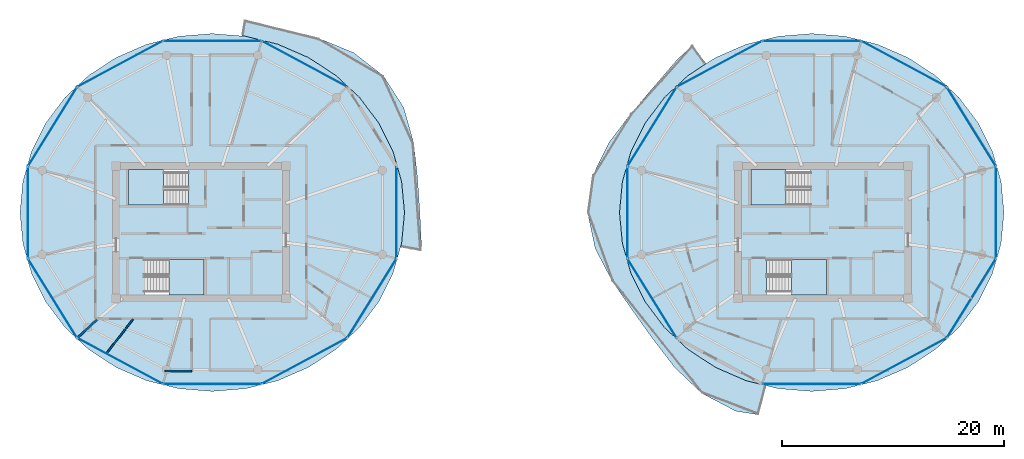
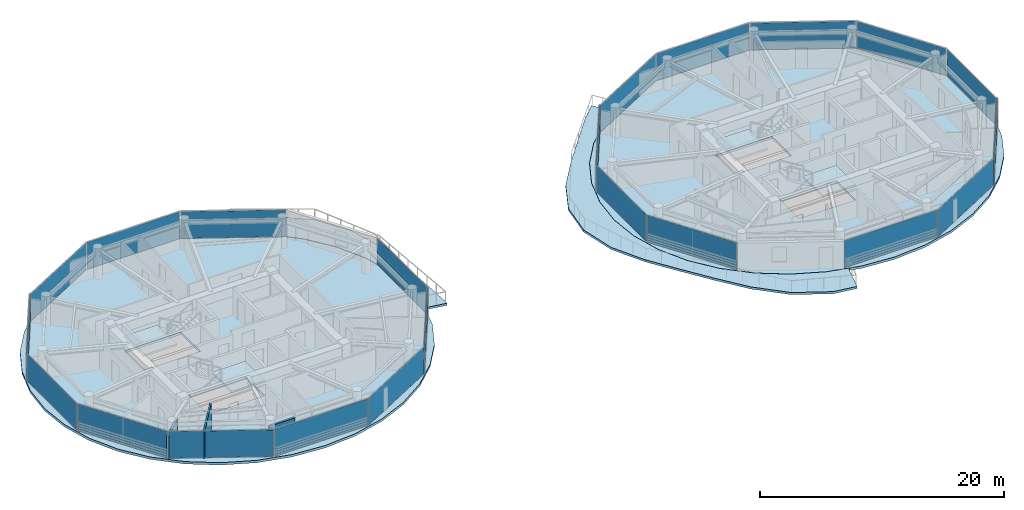
# One storey, part 12 of 22: 22 plates, 8 slabs, 3 walls, 26 elements without a shape of their own.
"""IFC4 building model written with IfcOpenShell, lengths in metres."""

from ifc_helpers import new_model, si_unit, direction, frame, frame_2d, origin, origin_2d, place, context, subcontext, project, spatial, polyline, rectangle, outline, extrude, source, transform, mapped, material, layer, layer_set, type_object, type_shapes, element, aggregate, save


model = new_model("IFC4")

# Units and contexts
model_context = context("Model", 3, precision=1e-05, world=origin(), true_north=direction((0.0, 1.0)))
body_context = subcontext(model_context, "Body", "Model", "MODEL_VIEW")
ifc_project = project(units=[si_unit("LENGTHUNIT", "METRE"), si_unit("AREAUNIT", "SQUARE_METRE"), si_unit("VOLUMEUNIT", "CUBIC_METRE"), si_unit("PLANEANGLEUNIT", "RADIAN"), si_unit("MASSUNIT", "GRAM", prefix="KILO")], contexts=[model_context])

# Site, building, storey
site_placement = place(None, origin())
site = spatial("IfcSite", under=ifc_project, at=site_placement, CompositionType="ELEMENT")
building_placement = place(site_placement, origin())
building = spatial("IfcBuilding", under=site, at=building_placement, Name="Norrkilde Senior Care Towers", CompositionType="ELEMENT")
storey_placement = place(building_placement, frame((0.0, 0.0, 137.35009765625)))
storey = spatial("IfcBuildingStorey", under=building, at=storey_placement, Name="L42", CompositionType="ELEMENT", Elevation=137.35009765625)

# Slabs
ifc_material_1 = material(Name="Concrete C50/60", Category="concrete")
ifc_layer_1 = layer(ifc_material_1, 0.215087890625)
ifc_layer_set_1 = layer_set([ifc_layer_1], Name="Concrete C50/60")
slab_type_1 = type_object("IfcSlabType", Name="Sinusoidal Balcony Ribbon Slab 215", PredefinedType="FLOOR", material=ifc_layer_set_1)
slab_1_placement = place(storey_placement, frame((0.0, 0.0, -0.215087890625)))
element("IfcSlab", 1, at=slab_1_placement, inside=storey, type_object=slab_type_1, Name="L42 Drum W Swirling Senior Balcony 1", PredefinedType="FLOOR", context=body_context, shape_type="SweptSolid", body=[
    extrude(outline(polyline([(-10.02734375, -1.349365234375), (-9.932861328125, -1.021240234375), (-9.669921875, 1.775390625), (-9.932861328125, 4.572021484375), (-10.713623046875, 7.28369140625), (-11.988525390625, 9.827880859375), (-13.718505859375, 12.12744140625), (-15.8515625, 14.112548828125), (-18.322509765625, 15.72265625), (-21.056396484375, 16.9091796875), (-23.969970703125, 17.6357421875), (-24.32177734375, 17.664306640625), (-24.08251953125, 19.0966796875), (-23.7431640625, 19.0185546875), (-20.595947265625, 18.26904296875), (-17.3955078125, 17.4482421875), (-14.253173828125, 16.15966796875), (-11.569091796875, 14.06591796875), (-9.746337890625, 11.218994140625), (-8.83984375, 8.0166015625), (-8.49560546875, 4.84423828125), (-8.287109375, 1.775390625), (-8.13525390625, -1.36181640625), (-8.162109375, -1.693115234375), (-10.02734375, -1.349365234375)])), origin(), (0.0, 0.0, 1.0), 0.215087890625),
])
slab_2_placement = place(storey_placement, frame((0.0, 0.0, -0.215087890625)))
element("IfcSlab", 2, at=slab_2_placement, inside=storey, type_object=slab_type_1, Name="L42 Drum E Swirling Senior Balcony 1", PredefinedType="FLOOR", context=body_context, shape_type="SweptSolid", body=[
    extrude(outline(polyline([(17.07373046875, -14.496337890625), (14.61328125, -12.147705078125), (12.63232421875, -9.556396484375), (10.8134765625, -7.00634765625), (9.009765625, -4.3994140625), (7.492431640625, -1.483642578125), (6.7919921875, 1.775390625), (7.25, 5.080322265625), (8.714111328125, 8.065673828125), (10.676513671875, 10.64208984375), (12.714111328125, 13.033203125), (14.799560546875, 15.459716796875), (16.244140625, 16.865234375), (17.45751953125, 15.158935546875), (15.8515625, 14.112548828125), (13.718505859375, 12.12744140625), (11.988525390625, 9.827880859375), (10.713623046875, 7.28369140625), (9.932861328125, 4.572021484375), (9.669921875, 1.775390625), (9.932861328125, -1.021240234375), (10.713623046875, -3.73291015625), (11.988525390625, -6.277099609375), (13.718505859375, -8.57666015625), (15.8515625, -10.561767578125), (18.322509765625, -12.171875), (21.056396484375, -13.3583984375), (22.87744140625, -13.8125), (22.189453125, -16.43017578125), (20.1279296875, -16.099853515625), (17.07373046875, -14.496337890625)])), origin(), (0.0, 0.0, 1.0), 0.215087890625),
])

# Stair, slab
ifc_material_2 = material(Name="Concrete C45/55", Category="concrete")
stair_type = type_object("IfcStairType", Name="Core Protected Dogleg Stair Typical 3050", PredefinedType="HALF_TURN_STAIR", material=ifc_material_2)
stair_1_placement = place(storey_placement, origin())
stair_1 = element("IfcStair", 3, at=stair_1_placement, inside=storey, type_object=stair_type, Name="L42 Protected Core Stair W1", PredefinedType="HALF_TURN_STAIR")
ifc_layer_2 = layer(ifc_material_2, 0.199951171875)
ifc_layer_set_2 = layer_set([ifc_layer_2], Name="Concrete C45/55")
slab_type_2 = type_object("IfcSlabType", Name="Stair Landing Slab 200", PredefinedType="LANDING", material=ifc_layer_set_2)
slab_3_placement = place(storey_placement, frame((0.0, 0.0, 1.324951171875)))
slab_3 = element("IfcSlab", 4, at=slab_3_placement, type_object=slab_type_2, Name="ST-W1 landing 1", PredefinedType="LANDING", context=body_context, shape_type="SweptSolid", body=[
    extrude(outline(polyline([(-31.340087890625, 5.639892578125), (-34.5, 5.639892578125), (-34.5, 2.449951171875), (-31.340087890625, 2.449951171875), (-31.340087890625, 5.639892578125)])), origin(), (0.0, 0.0, 1.0), 0.199951171875),
])
aggregate(stair_1, [slab_3])

stair_2_placement = place(storey_placement, origin())
stair_2 = element("IfcStair", 5, at=stair_2_placement, inside=storey, type_object=stair_type, Name="L42 Protected Core Stair W2", PredefinedType="HALF_TURN_STAIR")
slab_4_placement = place(storey_placement, frame((0.0, 0.0, 1.324951171875)))
slab_4 = element("IfcSlab", 6, at=slab_4_placement, type_object=slab_type_2, Name="ST-W2 landing 1", PredefinedType="LANDING", context=body_context, shape_type="SweptSolid", body=[
    extrude(outline(polyline([(-30.860107421875, -5.639892578125), (-27.699951171875, -5.639892578125), (-27.699951171875, -2.449951171875), (-30.860107421875, -2.449951171875), (-30.860107421875, -5.639892578125)])), origin(), (0.0, 0.0, 1.0), 0.199951171875),
])
aggregate(stair_2, [slab_4])

stair_3_placement = place(storey_placement, origin())
stair_3 = element("IfcStair", 7, at=stair_3_placement, inside=storey, type_object=stair_type, Name="L42 Protected Core Stair E1", PredefinedType="HALF_TURN_STAIR")
slab_5_placement = place(storey_placement, frame((0.0, 0.0, 1.324951171875)))
slab_5 = element("IfcSlab", 8, at=slab_5_placement, type_object=slab_type_2, Name="ST-E1 landing 1", PredefinedType="LANDING", context=body_context, shape_type="SweptSolid", body=[
    extrude(outline(polyline([(24.659912109375, 5.639892578125), (21.5, 5.639892578125), (21.5, 2.449951171875), (24.659912109375, 2.449951171875), (24.659912109375, 5.639892578125)])), origin(), (0.0, 0.0, 1.0), 0.199951171875),
])
aggregate(stair_3, [slab_5])

stair_4_placement = place(storey_placement, origin())
stair_4 = element("IfcStair", 9, at=stair_4_placement, inside=storey, type_object=stair_type, Name="L42 Protected Core Stair E2", PredefinedType="HALF_TURN_STAIR")
slab_6_placement = place(storey_placement, frame((0.0, 0.0, 1.324951171875)))
slab_6 = element("IfcSlab", 10, at=slab_6_placement, type_object=slab_type_2, Name="ST-E2 landing 1", PredefinedType="LANDING", context=body_context, shape_type="SweptSolid", body=[
    extrude(outline(polyline([(25.139892578125, -5.639892578125), (28.300048828125, -5.639892578125), (28.300048828125, -2.449951171875), (25.139892578125, -2.449951171875), (25.139892578125, -5.639892578125)])), origin(), (0.0, 0.0, 1.0), 0.199951171875),
])
aggregate(stair_4, [slab_6])

# Slabs
ifc_layer_3 = layer(ifc_material_1, 0.239990234375)
ifc_layer_set_3 = layer_set([ifc_layer_3], Name="Concrete C50/60")
slab_type_3 = type_object("IfcSlabType", Name="Tower Residence Floor Slab 240", PredefinedType="FLOOR", material=ifc_layer_set_3)
slab_7_placement = place(storey_placement, frame((0.0, 0.0, -0.239990234375)))
element("IfcSlab", 11, at=slab_7_placement, inside=storey, type_object=slab_type_3, Name="L42 Drum W Structural Floor Slab", PredefinedType="FLOOR", context=body_context, shape_type="SweptSolid", body=[
    extrude(outline(polyline([(-10.71826171875, -3.731201171875), (-11.99267578125, -6.274658203125), (-13.722412109375, -8.573486328125), (-15.854736328125, -10.557861328125), (-18.324951171875, -12.167724609375), (-21.05810546875, -13.353759765625), (-23.970947265625, -14.080078125), (-26.97509765625, -14.32470703125), (-29.97900390625, -14.080078125), (-32.891845703125, -13.353759765625), (-35.625, -12.167724609375), (-38.09521484375, -10.557861328125), (-40.2275390625, -8.573486328125), (-41.957275390625, -6.274658203125), (-43.231689453125, -3.731201171875), (-44.01220703125, -1.020263671875), (-44.27490234375, 1.775390625), (-44.01220703125, 4.571044921875), (-43.231689453125, 7.281982421875), (-41.957275390625, 9.825439453125), (-40.2275390625, 12.124267578125), (-38.09521484375, 14.108642578125), (-35.625, 15.71826171875), (-32.891845703125, 16.904296875), (-29.97900390625, 17.630859375), (-26.97509765625, 17.875244140625), (-23.970947265625, 17.630859375), (-21.05810546875, 16.904296875), (-18.324951171875, 15.71826171875), (-15.854736328125, 14.108642578125), (-13.722412109375, 12.124267578125), (-11.99267578125, 9.825439453125), (-10.71826171875, 7.281982421875), (-9.937744140625, 4.571044921875), (-9.675048828125, 1.775390625), (-9.937744140625, -1.020263671875), (-10.71826171875, -3.731201171875)]), holes=[polyline([(-34.48193359375, 2.468017578125), (-29.117919921875, 2.468017578125), (-29.117919921875, 5.639892578125), (-34.48193359375, 5.639892578125), (-34.48193359375, 2.468017578125)]), polyline([(-27.718017578125, -5.639892578125), (-27.718017578125, -2.468017578125), (-33.08203125, -2.468017578125), (-33.08203125, -5.639892578125), (-27.718017578125, -5.639892578125)])]), origin(), (0.0, 0.0, 1.0), 0.239990234375),
])
slab_8_placement = place(storey_placement, frame((0.0, 0.0, -0.239990234375)))
element("IfcSlab", 12, at=slab_8_placement, inside=storey, type_object=slab_type_3, Name="L42 Drum E Structural Floor Slab", PredefinedType="FLOOR", context=body_context, shape_type="SweptSolid", body=[
    extrude(outline(polyline([(43.231689453125, -3.731201171875), (41.957275390625, -6.274658203125), (40.2275390625, -8.573486328125), (38.09521484375, -10.557861328125), (35.625, -12.167724609375), (32.891845703125, -13.353759765625), (29.97900390625, -14.080078125), (26.97509765625, -14.32470703125), (23.970947265625, -14.080078125), (21.05810546875, -13.353759765625), (18.324951171875, -12.167724609375), (15.854736328125, -10.557861328125), (13.722412109375, -8.573486328125), (11.99267578125, -6.274658203125), (10.71826171875, -3.731201171875), (9.937744140625, -1.020263671875), (9.675048828125, 1.775390625), (9.937744140625, 4.571044921875), (10.71826171875, 7.281982421875), (11.99267578125, 9.825439453125), (13.722412109375, 12.124267578125), (15.854736328125, 14.108642578125), (18.324951171875, 15.71826171875), (21.05810546875, 16.904296875), (23.970947265625, 17.630859375), (26.97509765625, 17.875244140625), (29.97900390625, 17.630859375), (32.891845703125, 16.904296875), (35.625, 15.71826171875), (38.09521484375, 14.108642578125), (40.2275390625, 12.124267578125), (41.957275390625, 9.825439453125), (43.231689453125, 7.281982421875), (44.01220703125, 4.571044921875), (44.27490234375, 1.775390625), (44.01220703125, -1.020263671875), (43.231689453125, -3.731201171875)]), holes=[polyline([(21.51806640625, 2.468017578125), (26.882080078125, 2.468017578125), (26.882080078125, 5.639892578125), (21.51806640625, 5.639892578125), (21.51806640625, 2.468017578125)]), polyline([(28.281982421875, -5.639892578125), (28.281982421875, -2.468017578125), (22.91796875, -2.468017578125), (22.91796875, -5.639892578125), (28.281982421875, -5.639892578125)])]), origin(), (0.0, 0.0, 1.0), 0.239990234375),
])

# Curtain wall, plate
ifc_material_3 = material(Name="Triple Low-E Insulated Glazing", Category="glass")
ifc_layer_4 = layer(ifc_material_3, 0.18994140625)
ifc_layer_set_4 = layer_set([ifc_layer_4], Name="Triple Low-E Insulated Glazing")
curtain_wall_type = type_object("IfcCurtainWallType", Name="CW4 Zone 3 Senior Residence Curtain Wall", PredefinedType="NOTDEFINED", material=ifc_layer_set_4)
curtain_wall_1_placement = place(storey_placement, origin())
curtain_wall_1 = element("IfcCurtainWall", 13, at=curtain_wall_1_placement, inside=storey, type_object=curtain_wall_type, Name="L42 Drum W Curtain Wall 04", PredefinedType="NOTDEFINED")
ifc_layer_5 = layer(ifc_material_3, 0.035888671875)
ifc_layer_set_5 = layer_set([ifc_layer_5], Name="Triple Low-E Insulated Glazing")
plate_type = type_object("IfcPlateType", Name="Triple Low-E Vision Curtain Panel 36", PredefinedType="CURTAIN_PANEL", material=ifc_layer_set_5)
shared_shape_1 = source(origin(), body_context, "Body", "SweptSolid", [
    extrude(rectangle(XDim=8.301513671875, YDim=0.035888671875, at=origin_2d()), origin(), (0.0, 0.0, 1.0), 2.68994140625),
])
plate_1_placement = place(storey_placement, frame((-41.346435546875, 9.4931640625, 0.059814453125), z_axis=(0.0, 0.0, 1.0), x_axis=(0.52737270789, 0.84963405474, 0.0)))
plate_1 = element("IfcPlate", 14, at=plate_1_placement, type_object=plate_type, Name="CW-4 panel 1.1", PredefinedType="CURTAIN_PANEL", context=body_context, shape_type="MappedRepresentation", body=[
    mapped(shared_shape_1, transform((0.0, 0.0, 0.0), x_axis=(1.0, 0.0, 0.0), y_axis=(0.0, 1.0, 0.0), z_axis=(0.0, 0.0, 1.0), scale=1.0)),
])
aggregate(curtain_wall_1, [plate_1])

curtain_wall_2_placement = place(storey_placement, origin())
curtain_wall_2 = element("IfcCurtainWall", 15, at=curtain_wall_2_placement, inside=storey, type_object=curtain_wall_type, Name="L42 Drum W Curtain Wall 06", PredefinedType="NOTDEFINED")
plate_2_placement = place(storey_placement, frame((-41.346435546875, -5.9423828125, 0.059814453125), z_axis=(0.0, 0.0, 1.0), x_axis=(-0.52737270789, 0.84963405474, 0.0)))
plate_2 = element("IfcPlate", 16, at=plate_2_placement, type_object=plate_type, Name="CW-4 panel 1.1", PredefinedType="CURTAIN_PANEL", context=body_context, shape_type="MappedRepresentation", body=[
    mapped(shared_shape_1, transform((0.0, 0.0, 0.0), x_axis=(1.0, 0.0, 0.0), y_axis=(0.0, 1.0, 0.0), z_axis=(0.0, 0.0, 1.0), scale=1.0)),
])
aggregate(curtain_wall_2, [plate_2])

curtain_wall_3_placement = place(storey_placement, origin())
curtain_wall_3 = element("IfcCurtainWall", 17, at=curtain_wall_3_placement, inside=storey, type_object=curtain_wall_type, Name="L42 Drum W Curtain Wall 10", PredefinedType="NOTDEFINED")
plate_3_placement = place(storey_placement, frame((-12.603759765625, -5.9423828125, 0.059814453125), z_axis=(0.0, 0.0, 1.0), x_axis=(-0.52737270789, -0.84963405474, 0.0)))
plate_3 = element("IfcPlate", 18, at=plate_3_placement, type_object=plate_type, Name="CW-4 panel 1.1", PredefinedType="CURTAIN_PANEL", context=body_context, shape_type="MappedRepresentation", body=[
    mapped(shared_shape_1, transform((0.0, 0.0, 0.0), x_axis=(1.0, 0.0, 0.0), y_axis=(0.0, 1.0, 0.0), z_axis=(0.0, 0.0, 1.0), scale=1.0)),
])
aggregate(curtain_wall_3, [plate_3])

curtain_wall_4_placement = place(storey_placement, origin())
curtain_wall_4 = element("IfcCurtainWall", 19, at=curtain_wall_4_placement, inside=storey, type_object=curtain_wall_type, Name="L42 Drum E Curtain Wall 00", PredefinedType="NOTDEFINED")
plate_4_placement = place(storey_placement, frame((41.346435546875, 9.4931640625, 0.059814453125), z_axis=(0.0, 0.0, 1.0), x_axis=(0.52737270789, -0.84963405474, 0.0)))
plate_4 = element("IfcPlate", 20, at=plate_4_placement, type_object=plate_type, Name="CW-4 panel 1.1", PredefinedType="CURTAIN_PANEL", context=body_context, shape_type="MappedRepresentation", body=[
    mapped(shared_shape_1, transform((0.0, 0.0, 0.0), x_axis=(1.0, 0.0, 0.0), y_axis=(0.0, 1.0, 0.0), z_axis=(0.0, 0.0, 1.0), scale=1.0)),
])
aggregate(curtain_wall_4, [plate_4])

curtain_wall_5_placement = place(storey_placement, origin())
curtain_wall_5 = element("IfcCurtainWall", 21, at=curtain_wall_5_placement, inside=storey, type_object=curtain_wall_type, Name="L42 Drum E Curtain Wall 04", PredefinedType="NOTDEFINED")
plate_5_placement = place(storey_placement, frame((12.603759765625, 9.4931640625, 0.059814453125), z_axis=(0.0, 0.0, 1.0), x_axis=(0.52737270789, 0.84963405474, 0.0)))
plate_5 = element("IfcPlate", 22, at=plate_5_placement, type_object=plate_type, Name="CW-4 panel 1.1", PredefinedType="CURTAIN_PANEL", context=body_context, shape_type="MappedRepresentation", body=[
    mapped(shared_shape_1, transform((0.0, 0.0, 0.0), x_axis=(1.0, 0.0, 0.0), y_axis=(0.0, 1.0, 0.0), z_axis=(0.0, 0.0, 1.0), scale=1.0)),
])
aggregate(curtain_wall_5, [plate_5])

curtain_wall_6_placement = place(storey_placement, origin())
curtain_wall_6 = element("IfcCurtainWall", 23, at=curtain_wall_6_placement, inside=storey, type_object=curtain_wall_type, Name="L42 Drum E Curtain Wall 06", PredefinedType="NOTDEFINED")
plate_6_placement = place(storey_placement, frame((12.603759765625, -5.9423828125, 0.059814453125), z_axis=(0.0, 0.0, 1.0), x_axis=(-0.52737270789, 0.84963405474, 0.0)))
plate_6 = element("IfcPlate", 24, at=plate_6_placement, type_object=plate_type, Name="CW-4 panel 1.1", PredefinedType="CURTAIN_PANEL", context=body_context, shape_type="MappedRepresentation", body=[
    mapped(shared_shape_1, transform((0.0, 0.0, 0.0), x_axis=(1.0, 0.0, 0.0), y_axis=(0.0, 1.0, 0.0), z_axis=(0.0, 0.0, 1.0), scale=1.0)),
])
aggregate(curtain_wall_6, [plate_6])

curtain_wall_7_placement = place(storey_placement, origin())
curtain_wall_7 = element("IfcCurtainWall", 25, at=curtain_wall_7_placement, inside=storey, type_object=curtain_wall_type, Name="L42 Drum E Curtain Wall 10", PredefinedType="NOTDEFINED")
plate_7_placement = place(storey_placement, frame((41.346435546875, -5.9423828125, 0.059814453125), z_axis=(0.0, 0.0, 1.0), x_axis=(-0.52737270789, -0.84963405474, 0.0)))
plate_7 = element("IfcPlate", 26, at=plate_7_placement, type_object=plate_type, Name="CW-4 panel 1.1", PredefinedType="CURTAIN_PANEL", context=body_context, shape_type="MappedRepresentation", body=[
    mapped(shared_shape_1, transform((0.0, 0.0, 0.0), x_axis=(1.0, 0.0, 0.0), y_axis=(0.0, 1.0, 0.0), z_axis=(0.0, 0.0, 1.0), scale=1.0)),
])
aggregate(curtain_wall_7, [plate_7])

curtain_wall_8_placement = place(storey_placement, origin())
curtain_wall_8 = element("IfcCurtainWall", 27, at=curtain_wall_8_placement, inside=storey, type_object=curtain_wall_type, Name="L42 Drum W Curtain Wall 01", PredefinedType="NOTDEFINED")
shared_shape_2 = source(origin(), body_context, "Body", "SweptSolid", [
    extrude(rectangle(XDim=8.61181640625, YDim=0.035888671875, at=origin_2d()), origin(), (0.0, 0.0, 1.0), 2.68994140625),
])
plate_8_placement = place(storey_placement, frame((-18.677734375, 15.142822265625, 0.059814453125), z_axis=(0.0, 0.0, 1.0), x_axis=(0.880999524059, -0.47311715104, 0.0)))
plate_8 = element("IfcPlate", 28, at=plate_8_placement, type_object=plate_type, Name="CW-4 panel 1.1", PredefinedType="CURTAIN_PANEL", context=body_context, shape_type="MappedRepresentation", body=[
    mapped(shared_shape_2, transform((0.0, 0.0, 0.0), x_axis=(1.0, 0.0, 0.0), y_axis=(0.0, 1.0, 0.0), z_axis=(0.0, 0.0, 1.0), scale=1.0)),
])
aggregate(curtain_wall_8, [plate_8])

curtain_wall_9_placement = place(storey_placement, origin())
curtain_wall_9 = element("IfcCurtainWall", 29, at=curtain_wall_9_placement, inside=storey, type_object=curtain_wall_type, Name="L42 Drum W Curtain Wall 03", PredefinedType="NOTDEFINED")
plate_9_placement = place(storey_placement, frame((-35.272216796875, 15.142822265625, 0.059814453125), z_axis=(0.0, 0.0, 1.0), x_axis=(0.880999524059, 0.47311715104, 0.0)))
plate_9 = element("IfcPlate", 30, at=plate_9_placement, type_object=plate_type, Name="CW-4 panel 1.1", PredefinedType="CURTAIN_PANEL", context=body_context, shape_type="MappedRepresentation", body=[
    mapped(shared_shape_2, transform((0.0, 0.0, 0.0), x_axis=(1.0, 0.0, 0.0), y_axis=(0.0, 1.0, 0.0), z_axis=(0.0, 0.0, 1.0), scale=1.0)),
])
aggregate(curtain_wall_9, [plate_9])

curtain_wall_10_placement = place(storey_placement, origin())
curtain_wall_10 = element("IfcCurtainWall", 31, at=curtain_wall_10_placement, inside=storey, type_object=curtain_wall_type, Name="L42 Drum W Curtain Wall 07", PredefinedType="NOTDEFINED")
plate_10_placement = place(storey_placement, frame((-35.272216796875, -11.59228515625, 0.059814453125), z_axis=(0.0, 0.0, 1.0), x_axis=(-0.880999524059, 0.47311715104, 0.0)))
plate_10 = element("IfcPlate", 32, at=plate_10_placement, type_object=plate_type, Name="CW-4 panel 1.1", PredefinedType="CURTAIN_PANEL", context=body_context, shape_type="MappedRepresentation", body=[
    mapped(shared_shape_2, transform((0.0, 0.0, 0.0), x_axis=(1.0, 0.0, 0.0), y_axis=(0.0, 1.0, 0.0), z_axis=(0.0, 0.0, 1.0), scale=1.0)),
])
aggregate(curtain_wall_10, [plate_10])

curtain_wall_11_placement = place(storey_placement, origin())
curtain_wall_11 = element("IfcCurtainWall", 33, at=curtain_wall_11_placement, inside=storey, type_object=curtain_wall_type, Name="L42 Drum W Curtain Wall 09", PredefinedType="NOTDEFINED")
plate_11_placement = place(storey_placement, frame((-18.677734375, -11.59228515625, 0.059814453125), z_axis=(0.0, 0.0, 1.0), x_axis=(-0.880999524059, -0.47311715104, 0.0)))
plate_11 = element("IfcPlate", 34, at=plate_11_placement, type_object=plate_type, Name="CW-4 panel 1.1", PredefinedType="CURTAIN_PANEL", context=body_context, shape_type="MappedRepresentation", body=[
    mapped(shared_shape_2, transform((0.0, 0.0, 0.0), x_axis=(1.0, 0.0, 0.0), y_axis=(0.0, 1.0, 0.0), z_axis=(0.0, 0.0, 1.0), scale=1.0)),
])
aggregate(curtain_wall_11, [plate_11])

curtain_wall_12_placement = place(storey_placement, origin())
curtain_wall_12 = element("IfcCurtainWall", 35, at=curtain_wall_12_placement, inside=storey, type_object=curtain_wall_type, Name="L42 Drum E Curtain Wall 01", PredefinedType="NOTDEFINED")
plate_12_placement = place(storey_placement, frame((35.272216796875, 15.142822265625, 0.059814453125), z_axis=(0.0, 0.0, 1.0), x_axis=(0.880999524059, -0.47311715104, 0.0)))
plate_12 = element("IfcPlate", 36, at=plate_12_placement, type_object=plate_type, Name="CW-4 panel 1.1", PredefinedType="CURTAIN_PANEL", context=body_context, shape_type="MappedRepresentation", body=[
    mapped(shared_shape_2, transform((0.0, 0.0, 0.0), x_axis=(1.0, 0.0, 0.0), y_axis=(0.0, 1.0, 0.0), z_axis=(0.0, 0.0, 1.0), scale=1.0)),
])
aggregate(curtain_wall_12, [plate_12])

curtain_wall_13_placement = place(storey_placement, origin())
curtain_wall_13 = element("IfcCurtainWall", 37, at=curtain_wall_13_placement, inside=storey, type_object=curtain_wall_type, Name="L42 Drum E Curtain Wall 03", PredefinedType="NOTDEFINED")
plate_13_placement = place(storey_placement, frame((18.677734375, 15.142822265625, 0.059814453125), z_axis=(0.0, 0.0, 1.0), x_axis=(0.880999524059, 0.47311715104, 0.0)))
plate_13 = element("IfcPlate", 38, at=plate_13_placement, type_object=plate_type, Name="CW-4 panel 1.1", PredefinedType="CURTAIN_PANEL", context=body_context, shape_type="MappedRepresentation", body=[
    mapped(shared_shape_2, transform((0.0, 0.0, 0.0), x_axis=(1.0, 0.0, 0.0), y_axis=(0.0, 1.0, 0.0), z_axis=(0.0, 0.0, 1.0), scale=1.0)),
])
aggregate(curtain_wall_13, [plate_13])

curtain_wall_14_placement = place(storey_placement, origin())
curtain_wall_14 = element("IfcCurtainWall", 39, at=curtain_wall_14_placement, inside=storey, type_object=curtain_wall_type, Name="L42 Drum E Curtain Wall 09", PredefinedType="NOTDEFINED")
plate_14_placement = place(storey_placement, frame((35.272216796875, -11.59228515625, 0.059814453125), z_axis=(0.0, 0.0, 1.0), x_axis=(-0.880999524059, -0.47311715104, 0.0)))
plate_14 = element("IfcPlate", 40, at=plate_14_placement, type_object=plate_type, Name="CW-4 panel 1.1", PredefinedType="CURTAIN_PANEL", context=body_context, shape_type="MappedRepresentation", body=[
    mapped(shared_shape_2, transform((0.0, 0.0, 0.0), x_axis=(1.0, 0.0, 0.0), y_axis=(0.0, 1.0, 0.0), z_axis=(0.0, 0.0, 1.0), scale=1.0)),
])
aggregate(curtain_wall_14, [plate_14])

curtain_wall_15_placement = place(storey_placement, origin())
curtain_wall_15 = element("IfcCurtainWall", 41, at=curtain_wall_15_placement, inside=storey, type_object=curtain_wall_type, Name="L42 Drum W Curtain Wall 02", PredefinedType="NOTDEFINED")
shared_shape_3 = source(origin(), body_context, "Body", "SweptSolid", [
    extrude(rectangle(XDim=8.762939453125, YDim=0.035888671875, at=origin_2d()), origin(), (0.0, 0.0, 1.0), 2.68994140625),
])
plate_15_placement = place(storey_placement, frame((-26.97509765625, 17.2109375, 0.059814453125), z_axis=(0.0, 0.0, 1.0), x_axis=(1.0, 0.0, 0.0)))
plate_15 = element("IfcPlate", 42, at=plate_15_placement, type_object=plate_type, Name="CW-4 panel 1.1", PredefinedType="CURTAIN_PANEL", context=body_context, shape_type="MappedRepresentation", body=[
    mapped(shared_shape_3, transform((0.0, 0.0, 0.0), x_axis=(1.0, 0.0, 0.0), y_axis=(0.0, 1.0, 0.0), z_axis=(0.0, 0.0, 1.0), scale=1.0)),
])
aggregate(curtain_wall_15, [plate_15])

curtain_wall_16_placement = place(storey_placement, origin())
curtain_wall_16 = element("IfcCurtainWall", 43, at=curtain_wall_16_placement, inside=storey, type_object=curtain_wall_type, Name="L42 Drum W Curtain Wall 08", PredefinedType="NOTDEFINED")
plate_16_placement = place(storey_placement, frame((-26.97509765625, -13.66015625, 0.059814453125), z_axis=(0.0, 0.0, 1.0), x_axis=(-1.0, 0.0, 0.0)))
plate_16 = element("IfcPlate", 44, at=plate_16_placement, type_object=plate_type, Name="CW-4 panel 1.1", PredefinedType="CURTAIN_PANEL", context=body_context, shape_type="MappedRepresentation", body=[
    mapped(shared_shape_3, transform((0.0, 0.0, 0.0), x_axis=(1.0, 0.0, 0.0), y_axis=(0.0, 1.0, 0.0), z_axis=(0.0, 0.0, 1.0), scale=1.0)),
])
aggregate(curtain_wall_16, [plate_16])

curtain_wall_17_placement = place(storey_placement, origin())
curtain_wall_17 = element("IfcCurtainWall", 45, at=curtain_wall_17_placement, inside=storey, type_object=curtain_wall_type, Name="L42 Drum E Curtain Wall 02", PredefinedType="NOTDEFINED")
plate_17_placement = place(storey_placement, frame((26.97509765625, 17.2109375, 0.059814453125), z_axis=(0.0, 0.0, 1.0), x_axis=(1.0, 0.0, 0.0)))
plate_17 = element("IfcPlate", 46, at=plate_17_placement, type_object=plate_type, Name="CW-4 panel 1.1", PredefinedType="CURTAIN_PANEL", context=body_context, shape_type="MappedRepresentation", body=[
    mapped(shared_shape_3, transform((0.0, 0.0, 0.0), x_axis=(1.0, 0.0, 0.0), y_axis=(0.0, 1.0, 0.0), z_axis=(0.0, 0.0, 1.0), scale=1.0)),
])
aggregate(curtain_wall_17, [plate_17])

curtain_wall_18_placement = place(storey_placement, origin())
curtain_wall_18 = element("IfcCurtainWall", 47, at=curtain_wall_18_placement, inside=storey, type_object=curtain_wall_type, Name="L42 Drum E Curtain Wall 08", PredefinedType="NOTDEFINED")
plate_18_placement = place(storey_placement, frame((26.97509765625, -13.66015625, 0.059814453125), z_axis=(0.0, 0.0, 1.0), x_axis=(-1.0, 0.0, 0.0)))
plate_18 = element("IfcPlate", 48, at=plate_18_placement, type_object=plate_type, Name="CW-4 panel 1.1", PredefinedType="CURTAIN_PANEL", context=body_context, shape_type="MappedRepresentation", body=[
    mapped(shared_shape_3, transform((0.0, 0.0, 0.0), x_axis=(1.0, 0.0, 0.0), y_axis=(0.0, 1.0, 0.0), z_axis=(0.0, 0.0, 1.0), scale=1.0)),
])
aggregate(curtain_wall_18, [plate_18])

curtain_wall_19_placement = place(storey_placement, origin())
curtain_wall_19 = element("IfcCurtainWall", 49, at=curtain_wall_19_placement, inside=storey, type_object=curtain_wall_type, Name="L42 Drum W Curtain Wall 05", PredefinedType="NOTDEFINED")
shared_shape_4 = source(origin(), body_context, "Body", "SweptSolid", [
    extrude(rectangle(XDim=8.141845703125, YDim=0.035888671875, at=origin_2d()), origin(), (0.0, 0.0, 1.0), 2.68994140625),
])
type_shapes(plate_type, [shared_shape_1, shared_shape_2, shared_shape_3, shared_shape_4])
plate_19_placement = place(storey_placement, frame((-43.569580078125, 1.775390625, 0.059814453125), z_axis=(0.0, 0.0, 1.0), x_axis=(0.0, 1.0, 0.0)))
plate_19 = element("IfcPlate", 50, at=plate_19_placement, type_object=plate_type, Name="CW-4 panel 1.1", PredefinedType="CURTAIN_PANEL", context=body_context, shape_type="MappedRepresentation", body=[
    mapped(shared_shape_4, transform((0.0, 0.0, 0.0), x_axis=(1.0, 0.0, 0.0), y_axis=(0.0, 1.0, 0.0), z_axis=(0.0, 0.0, 1.0), scale=1.0)),
])
aggregate(curtain_wall_19, [plate_19])

curtain_wall_20_placement = place(storey_placement, origin())
curtain_wall_20 = element("IfcCurtainWall", 51, at=curtain_wall_20_placement, inside=storey, type_object=curtain_wall_type, Name="L42 Drum W Curtain Wall 11", PredefinedType="NOTDEFINED")
plate_20_placement = place(storey_placement, frame((-10.38037109375, 1.775390625, 0.059814453125), z_axis=(0.0, 0.0, 1.0), x_axis=(0.0, -1.0, 0.0)))
plate_20 = element("IfcPlate", 52, at=plate_20_placement, type_object=plate_type, Name="CW-4 panel 1.1", PredefinedType="CURTAIN_PANEL", context=body_context, shape_type="MappedRepresentation", body=[
    mapped(shared_shape_4, transform((0.0, 0.0, 0.0), x_axis=(1.0, 0.0, 0.0), y_axis=(0.0, 1.0, 0.0), z_axis=(0.0, 0.0, 1.0), scale=1.0)),
])
aggregate(curtain_wall_20, [plate_20])

curtain_wall_21_placement = place(storey_placement, origin())
curtain_wall_21 = element("IfcCurtainWall", 53, at=curtain_wall_21_placement, inside=storey, type_object=curtain_wall_type, Name="L42 Drum E Curtain Wall 05", PredefinedType="NOTDEFINED")
plate_21_placement = place(storey_placement, frame((10.38037109375, 1.775390625, 0.059814453125), z_axis=(0.0, 0.0, 1.0), x_axis=(0.0, 1.0, 0.0)))
plate_21 = element("IfcPlate", 54, at=plate_21_placement, type_object=plate_type, Name="CW-4 panel 1.1", PredefinedType="CURTAIN_PANEL", context=body_context, shape_type="MappedRepresentation", body=[
    mapped(shared_shape_4, transform((0.0, 0.0, 0.0), x_axis=(1.0, 0.0, 0.0), y_axis=(0.0, 1.0, 0.0), z_axis=(0.0, 0.0, 1.0), scale=1.0)),
])
aggregate(curtain_wall_21, [plate_21])

curtain_wall_22_placement = place(storey_placement, origin())
curtain_wall_22 = element("IfcCurtainWall", 55, at=curtain_wall_22_placement, inside=storey, type_object=curtain_wall_type, Name="L42 Drum E Curtain Wall 11", PredefinedType="NOTDEFINED")
plate_22_placement = place(storey_placement, frame((43.569580078125, 1.775390625, 0.059814453125), z_axis=(0.0, 0.0, 1.0), x_axis=(0.0, -1.0, 0.0)))
plate_22 = element("IfcPlate", 56, at=plate_22_placement, type_object=plate_type, Name="CW-4 panel 1.1", PredefinedType="CURTAIN_PANEL", context=body_context, shape_type="MappedRepresentation", body=[
    mapped(shared_shape_4, transform((0.0, 0.0, 0.0), x_axis=(1.0, 0.0, 0.0), y_axis=(0.0, 1.0, 0.0), z_axis=(0.0, 0.0, 1.0), scale=1.0)),
])
aggregate(curtain_wall_22, [plate_22])

# Walls
ifc_material_4 = material(Name="Gypsum Acoustic Board")
ifc_layer_6 = layer(ifc_material_4, 0.1650390625)
ifc_layer_set_6 = layer_set([ifc_layer_6], Name="Gypsum Acoustic Board")
wall_type_1 = type_object("IfcWallType", Name="Corridor Rated Partition 165", PredefinedType="PARTITIONING", material=ifc_layer_set_6)
shared_shape_5 = source(origin(), body_context, "Body", "SweptSolid", [
    extrude(rectangle(XDim=2.418701171875, YDim=0.1650390625, at=frame_2d((1.20947265625, 0.0))), origin(), (0.0, 0.0, 1.0), 2.344970703125),
])
type_shapes(wall_type_1, [shared_shape_5])
wall_1_placement = place(storey_placement, frame((-31.23876953125, -12.484619140625, 0.0), z_axis=(0.0, 0.0, 1.0), x_axis=(1.0, 0.0, 0.0)))
element("IfcWall", 57, at=wall_1_placement, inside=storey, type_object=wall_type_1, Name="WL-INT-L42-W-PKH-SWL-0", PredefinedType="PARTITIONING", context=body_context, shape_type="MappedRepresentation", body=[
    mapped(shared_shape_5, transform((0.0, 0.0, 0.0), x_axis=(1.0, 0.0, 0.0), y_axis=(0.0, 1.0, 0.0), z_axis=(0.0, 0.0, 1.0), scale=1.0)),
])
ifc_layer_7 = layer(ifc_material_4, 0.18994140625)
ifc_layer_set_7 = layer_set([ifc_layer_7], Name="Gypsum Acoustic Board")
wall_type_2 = type_object("IfcWallType", Name="Unit Demising Acoustic Wall 190", PredefinedType="PARTITIONING", material=ifc_layer_set_7)
shared_shape_6 = source(origin(), body_context, "Body", "SweptSolid", [
    extrude(rectangle(XDim=2.434814453125, YDim=0.18994140625, at=frame_2d((1.21728515625, 0.0))), origin(), (0.0, 0.0, 1.0), 2.344970703125),
])
type_shapes(wall_type_2, [shared_shape_6])
wall_2_placement = place(storey_placement, frame((-37.3544921875, -7.8798828125, 0.0), z_axis=(0.0, 0.0, 1.0), x_axis=(-0.732164643118, -0.681127693878, 0.0)))
element("IfcWall", 58, at=wall_2_placement, inside=storey, type_object=wall_type_2, Name="WL-INT-L42-W-DEM-07-0", PredefinedType="PARTITIONING", context=body_context, shape_type="MappedRepresentation", body=[
    mapped(shared_shape_6, transform((0.0, 0.0, 0.0), x_axis=(1.0, 0.0, 0.0), y_axis=(0.0, 1.0, 0.0), z_axis=(0.0, 0.0, 1.0), scale=1.0)),
])
ifc_layer_8 = layer(ifc_material_4, 0.139892578125)
ifc_layer_set_8 = layer_set([ifc_layer_8], Name="Gypsum Acoustic Board")
wall_type_3 = type_object("IfcWallType", Name="En-suite Wet Room Wall 140", PredefinedType="PARTITIONING", material=ifc_layer_set_8)
shared_shape_7 = source(origin(), body_context, "Body", "SweptSolid", [
    extrude(rectangle(XDim=3.9365234375, YDim=0.139892578125, at=frame_2d((1.96826171875, 0.0))), origin(), (0.0, 0.0, 1.0), 2.794921875),
])
type_shapes(wall_type_3, [shared_shape_7])
wall_3_placement = place(storey_placement, frame((-34.1103515625, -7.830078125, 0.0), z_axis=(0.0, 0.0, 1.0), x_axis=(-0.611016723561, -0.791617687731, 0.0)))
element("IfcWall", 59, at=wall_3_placement, inside=storey, type_object=wall_type_3, Name="WL-INT-L42-W-MID-07", PredefinedType="PARTITIONING", context=body_context, shape_type="MappedRepresentation", body=[
    mapped(shared_shape_7, transform((0.0, 0.0, 0.0), x_axis=(1.0, 0.0, 0.0), y_axis=(0.0, 1.0, 0.0), z_axis=(0.0, 0.0, 1.0), scale=1.0)),
])

save(model, "model.ifc")
